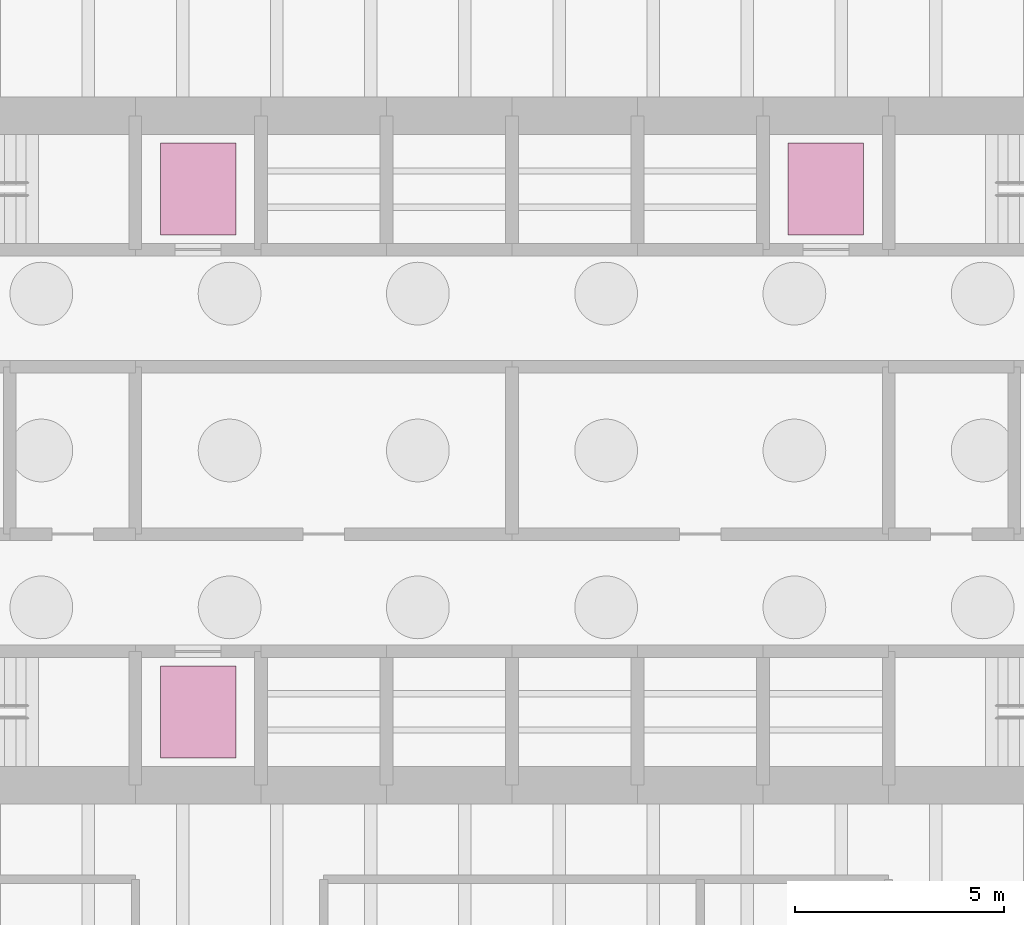
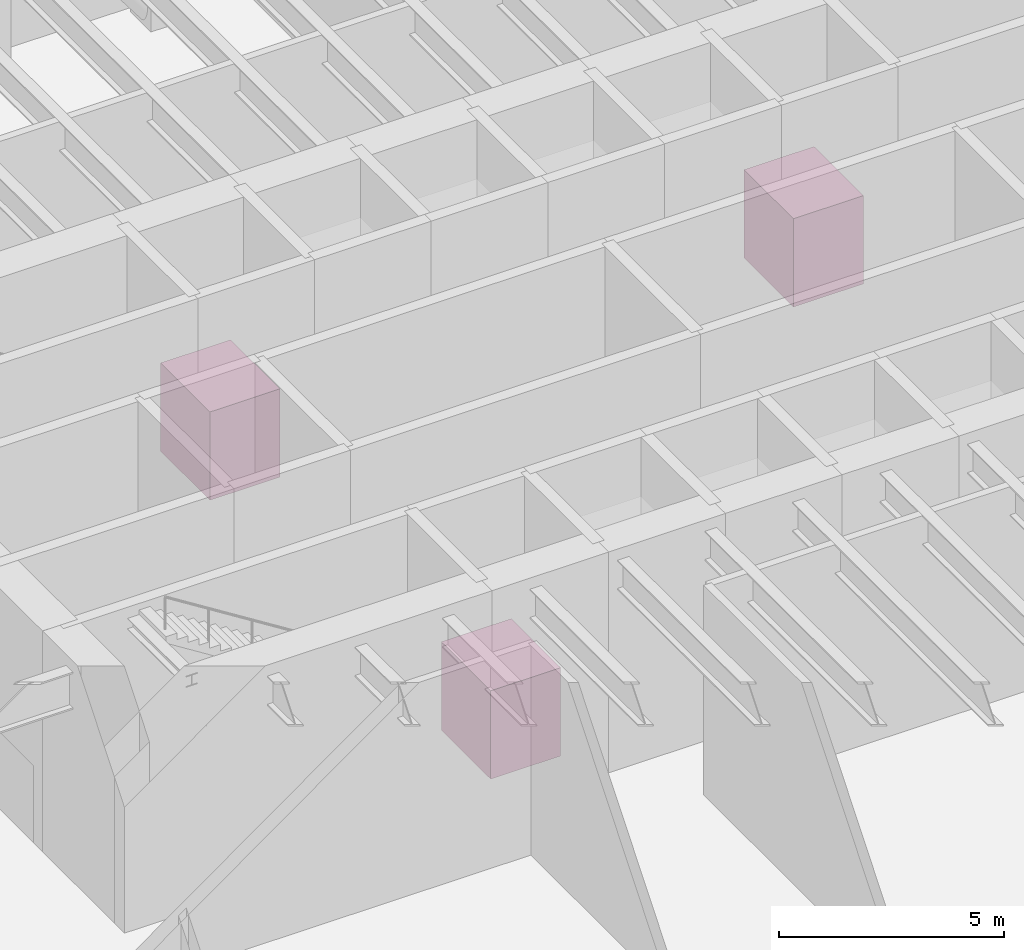
# One storey, part 9 of 9: 3 transport elements.
"""IFC4 building model written with IfcOpenShell, lengths in metres."""

from ifc_helpers import new_model, si_unit, direction, frame, origin, origin_2d, place, context, subcontext, project, spatial, rectangle, extrude, material, type_object, element, save


model = new_model("IFC4")

# Units and contexts
model_context = context("Model", 3, precision=1e-05, world=origin(), true_north=direction((0.0, 1.0)))
body_context = subcontext(model_context, "Body", "Model", "MODEL_VIEW")
ifc_project = project(units=[si_unit("LENGTHUNIT", "METRE"), si_unit("AREAUNIT", "SQUARE_METRE"), si_unit("VOLUMEUNIT", "CUBIC_METRE"), si_unit("PLANEANGLEUNIT", "RADIAN"), si_unit("MASSUNIT", "GRAM", prefix="KILO")], contexts=[model_context])

# Site, building, storey
site_placement = place(None, origin())
site = spatial("IfcSite", under=ifc_project, at=site_placement, CompositionType="ELEMENT")
building_placement = place(site_placement, origin())
building = spatial("IfcBuilding", under=site, at=building_placement, Name="Rheinbord Bourse Tower", CompositionType="ELEMENT")
storey_placement = place(building_placement, frame((0.0, 0.0, -6.0)))
storey = spatial("IfcBuildingStorey", under=building, at=storey_placement, Name="B1", CompositionType="ELEMENT", Elevation=-6.0)

# Transport elements
ifc_material = material(Name="Lift car steel and glass", Category="steel")
transport_element_type = type_object("IfcTransportElementType", Name="LIFT CAR", PredefinedType="ELEVATOR", material=ifc_material)
for number, where, z_axis, x_axis, name in (
    (1, (28.5, 17.75, 0.0), (0.0, 0.0, 1.0), (1.0, 0.0, 0.0), "Firefighting lift FL1"),
    (2, (43.5, 30.25, 0.0), (0.0, 0.0, 1.0), (1.0, 0.0, 0.0), "Firefighting lift FL2"),
    (3, (28.5, 30.25, 0.0), (0.0, 0.0, 1.0), (1.0, 0.0, 0.0), "Lift GL1"),
):
    element("IfcTransportElement", number, at=place(storey_placement, frame(where, z_axis=z_axis, x_axis=x_axis)), inside=storey, type_object=transport_element_type, Name=name, PredefinedType="ELEVATOR", context=body_context, shape_type="SweptSolid", body=[
        extrude(rectangle(XDim=1.800048828125, YDim=2.199951171875, at=origin_2d()), origin(), (0.0, 0.0, 1.0), 2.39990234375),
    ])

save(model, "model.ifc")
